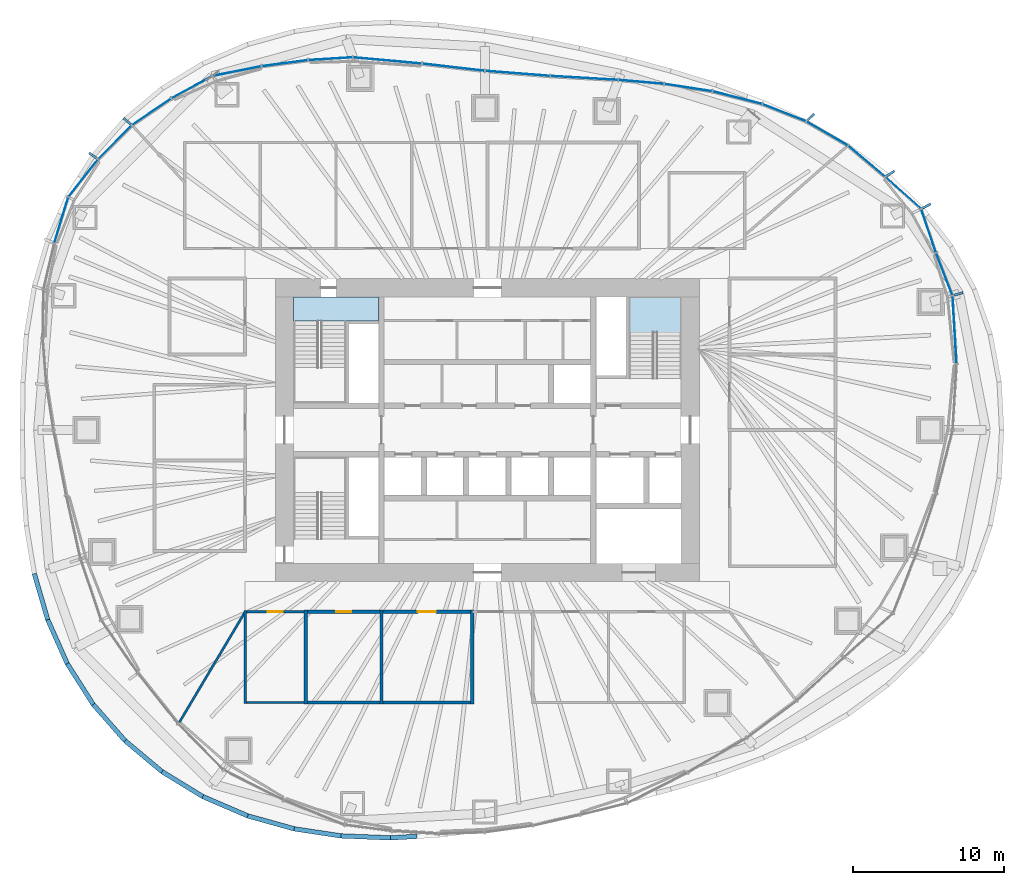
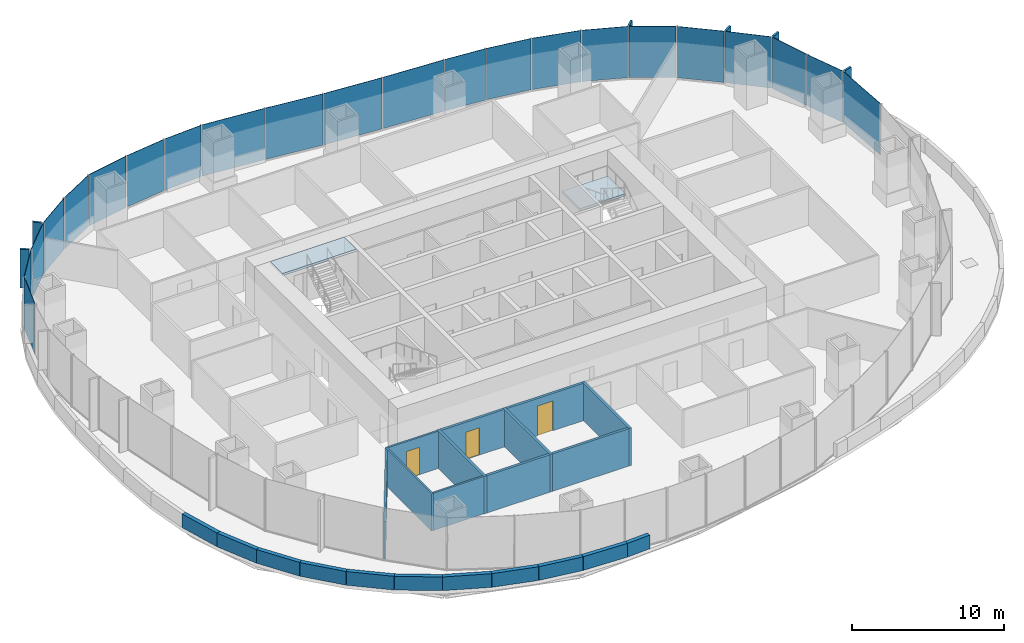
# One storey, part 8 of 20: 28 plates, 22 walls, 3 doors, 2 slabs, 3 openings, 11 elements without a shape of their own.
"""IFC4 building model written with IfcOpenShell, lengths in metres."""

from ifc_helpers import new_model, si_unit, direction, frame, frame_2d, origin, origin_2d, place, context, subcontext, project, spatial, polyline, rectangle, outline, extrude, material, layer, layer_set, type_object, element, fill, aggregate, save


model = new_model("IFC4")

# Units and contexts
model_context = context("Model", 3, precision=1e-05, world=origin(), true_north=direction((0.0, 1.0)))
body_context = subcontext(model_context, "Body", "Model", "MODEL_VIEW")
ifc_project = project(units=[si_unit("LENGTHUNIT", "METRE"), si_unit("AREAUNIT", "SQUARE_METRE"), si_unit("VOLUMEUNIT", "CUBIC_METRE"), si_unit("PLANEANGLEUNIT", "RADIAN"), si_unit("MASSUNIT", "GRAM", prefix="KILO")], contexts=[model_context])

# Site, building, storey
site_placement = place(None, origin())
site = spatial("IfcSite", under=ifc_project, at=site_placement, CompositionType="ELEMENT")
building_placement = place(site_placement, origin())
building = spatial("IfcBuilding", under=site, at=building_placement, Name="Ghaith Harvest Tower", CompositionType="ELEMENT")
storey_placement = place(building_placement, frame((0.0, 0.0, 105.0)))
storey = spatial("IfcBuildingStorey", under=building, at=storey_placement, Name="L21", CompositionType="ELEMENT", Elevation=105.0)

# Curtain wall, plate
ifc_material_1 = material(Name="Black anodised aluminium and fritted glass", Category="aluminium")
curtain_wall_type = type_object("IfcCurtainWallType", Name="CW-L CURTAIN WALL", PredefinedType="NOTDEFINED", material=ifc_material_1)
curtain_wall_1_placement = place(storey_placement, origin())
curtain_wall_1 = element("IfcCurtainWall", 1, at=curtain_wall_1_placement, inside=storey, type_object=curtain_wall_type, Name="Curtain wall CW-L bay 01 L21", PredefinedType="NOTDEFINED")
ifc_material_2 = material(Name="Glass, dark solar-control fritted double glazed unit", Category="glass")
ifc_layer_1 = layer(ifc_material_2, 0.031982421875)
ifc_layer_set_1 = layer_set([ifc_layer_1], Name="CW-L VISION PANEL")
plate_type_1 = type_object("IfcPlateType", Name="CW-L VISION PANEL", PredefinedType="CURTAIN_PANEL", material=ifc_layer_set_1)
plate_1_placement = place(storey_placement, frame((30.863037109375, 6.63525390625, 0.079833984375), z_axis=(0.0, 0.0, 1.0), x_axis=(-0.060320650032, 0.998179051663, 0.0)))
plate_1 = element("IfcPlate", 2, at=plate_1_placement, type_object=plate_type_1, Name="CW-L glass unit 2 bay 01 L21", PredefinedType="CURTAIN_PANEL", context=body_context, shape_type="SweptSolid", body=[
    extrude(rectangle(XDim=4.419189453125, YDim=0.031982421875, at=origin_2d()), origin(), (0.0, 0.0, 1.0), 4.1201171875),
])
aggregate(curtain_wall_1, [plate_1])

# Curtain wall, plates
curtain_wall_2_placement = place(storey_placement, origin())
curtain_wall_2 = element("IfcCurtainWall", 3, at=curtain_wall_2_placement, inside=storey, type_object=curtain_wall_type, Name="Curtain wall CW-L bay 02 L21", PredefinedType="NOTDEFINED")
plate_2_placement = place(storey_placement, frame((30.180908203125, 10.29833984375, 0.079833984375), z_axis=(0.0, 0.0, 1.0), x_axis=(-0.359676824997, 0.933076943001, 0.0)))
plate_2 = element("IfcPlate", 4, at=plate_2_placement, type_object=plate_type_1, Name="CW-L glass unit 1 bay 02 L21", PredefinedType="CURTAIN_PANEL", context=body_context, shape_type="SweptSolid", body=[
    extrude(rectangle(XDim=2.95849609375, YDim=0.031982421875, at=origin_2d()), origin(), (0.0, 0.0, 1.0), 4.1201171875),
])
plate_3_placement = place(storey_placement, frame((29.142333984375, 13.163818359375, 0.079833984375), z_axis=(0.0, 0.0, 1.0), x_axis=(-0.321853304376, 0.946789549194, 0.0)))
plate_3 = element("IfcPlate", 5, at=plate_3_placement, type_object=plate_type_1, Name="CW-L glass unit 2 bay 02 L21", PredefinedType="CURTAIN_PANEL", context=body_context, shape_type="SweptSolid", body=[
    extrude(rectangle(XDim=2.978759765625, YDim=0.031982421875, at=origin_2d()), origin(), (0.0, 0.0, 1.0), 4.1201171875),
])
plate_4_placement = place(storey_placement, frame((27.46533203125, 15.668701171875, 0.079833984375), z_axis=(0.0, 0.0, 1.0), x_axis=(-0.746250544556, 0.665665174656, 0.0)))
plate_4 = element("IfcPlate", 6, at=plate_4_placement, type_object=plate_type_1, Name="CW-L glass unit 3 bay 02 L21", PredefinedType="CURTAIN_PANEL", context=body_context, shape_type="SweptSolid", body=[
    extrude(rectangle(XDim=3.094970703125, YDim=0.031982421875, at=origin_2d()), origin(), (0.0, 0.0, 1.0), 4.1201171875),
])
aggregate(curtain_wall_2, [plate_2, plate_3, plate_4])

curtain_wall_3_placement = place(storey_placement, origin())
curtain_wall_3 = element("IfcCurtainWall", 7, at=curtain_wall_3_placement, inside=storey, type_object=curtain_wall_type, Name="Curtain wall CW-L bay 03 L21", PredefinedType="NOTDEFINED")
plate_5_placement = place(storey_placement, frame((25.05126953125, 17.7587890625, 0.079833984375), z_axis=(0.0, 0.0, 1.0), x_axis=(-0.765473064857, 0.643467937801, 0.0)))
plate_5 = element("IfcPlate", 8, at=plate_5_placement, type_object=plate_type_1, Name="CW-L glass unit 1 bay 03 L21", PredefinedType="CURTAIN_PANEL", context=body_context, shape_type="SweptSolid", body=[
    extrude(rectangle(XDim=3.13232421875, YDim=0.031982421875, at=origin_2d()), origin(), (0.0, 0.0, 1.0), 4.1201171875),
])
plate_6_placement = place(storey_placement, frame((22.444091796875, 19.590576171875, 0.079833984375), z_axis=(0.0, 0.0, 1.0), x_axis=(-0.865232087993, 0.501371552751, 0.0)))
plate_6 = element("IfcPlate", 9, at=plate_6_placement, type_object=plate_type_1, Name="CW-L glass unit 2 bay 03 L21", PredefinedType="CURTAIN_PANEL", context=body_context, shape_type="SweptSolid", body=[
    extrude(rectangle(XDim=3.10498046875, YDim=0.031982421875, at=origin_2d()), origin(), (0.0, 0.0, 1.0), 4.1201171875),
])
plate_7_placement = place(storey_placement, frame((19.6142578125, 20.963623046875, 0.079833984375), z_axis=(0.0, 0.0, 1.0), x_axis=(-0.929876534019, 0.367871759558, 0.0)))
plate_7 = element("IfcPlate", 10, at=plate_7_placement, type_object=plate_type_1, Name="CW-L glass unit 3 bay 03 L21", PredefinedType="CURTAIN_PANEL", context=body_context, shape_type="SweptSolid", body=[
    extrude(rectangle(XDim=3.042724609375, YDim=0.031982421875, at=origin_2d()), origin(), (0.0, 0.0, 1.0), 4.1201171875),
])
aggregate(curtain_wall_3, [plate_5, plate_6, plate_7])

curtain_wall_4_placement = place(storey_placement, origin())
curtain_wall_4 = element("IfcCurtainWall", 11, at=curtain_wall_4_placement, inside=storey, type_object=curtain_wall_type, Name="Curtain wall CW-L bay 04 L21", PredefinedType="NOTDEFINED")
plate_8_placement = place(storey_placement, frame((16.513427734375, 21.958740234375, 0.079833984375), z_axis=(0.0, 0.0, 1.0), x_axis=(-0.96893110987, 0.247330758955, 0.0)))
plate_8 = element("IfcPlate", 12, at=plate_8_placement, type_object=plate_type_1, Name="CW-L glass unit 1 bay 04 L21", PredefinedType="CURTAIN_PANEL", context=body_context, shape_type="SweptSolid", body=[
    extrude(rectangle(XDim=3.3232421875, YDim=0.031982421875, at=origin_2d()), origin(), (0.0, 0.0, 1.0), 4.1201171875),
])
plate_9_placement = place(storey_placement, frame((13.2685546875, 22.621826171875, 0.079833984375), z_axis=(0.0, 0.0, 1.0), x_axis=(-0.988678736369, 0.150047846542, 0.0)))
plate_9 = element("IfcPlate", 13, at=plate_9_placement, type_object=plate_type_1, Name="CW-L glass unit 2 bay 04 L21", PredefinedType="CURTAIN_PANEL", context=body_context, shape_type="SweptSolid", body=[
    extrude(rectangle(XDim=3.14892578125, YDim=0.031982421875, at=origin_2d()), origin(), (0.0, 0.0, 1.0), 4.1201171875),
])
plate_10_placement = place(storey_placement, frame((10.15966796875, 22.9970703125, 0.079833984375), z_axis=(0.0, 0.0, 1.0), x_axis=(-0.996166190972, 0.087480969151, 0.0)))
plate_10 = element("IfcPlate", 14, at=plate_10_placement, type_object=plate_type_1, Name="CW-L glass unit 3 bay 04 L21", PredefinedType="CURTAIN_PANEL", context=body_context, shape_type="SweptSolid", body=[
    extrude(rectangle(XDim=2.957275390625, YDim=0.031982421875, at=origin_2d()), origin(), (0.0, 0.0, 1.0), 4.1201171875),
])
aggregate(curtain_wall_4, [plate_8, plate_9, plate_10])

curtain_wall_5_placement = place(storey_placement, origin())
curtain_wall_5 = element("IfcCurtainWall", 15, at=curtain_wall_5_placement, inside=storey, type_object=curtain_wall_type, Name="Curtain wall CW-L bay 05 L21", PredefinedType="NOTDEFINED")
plate_11_placement = place(storey_placement, frame((6.396728515625, 23.260498046875, 0.079833984375), z_axis=(0.0, 0.0, 1.0), x_axis=(-0.998320798751, 0.05792739233, 0.0)))
plate_11 = element("IfcPlate", 16, at=plate_11_placement, type_object=plate_type_1, Name="CW-L glass unit 1 bay 05 L21", PredefinedType="CURTAIN_PANEL", context=body_context, shape_type="SweptSolid", body=[
    extrude(rectangle(XDim=4.427734375, YDim=0.031982421875, at=origin_2d()), origin(), (0.0, 0.0, 1.0), 4.1201171875),
])
plate_12_placement = place(storey_placement, frame((1.9921875, 23.560302734375, 0.079833984375), z_axis=(0.0, 0.0, 1.0), x_axis=(-0.996925121312, 0.078360082291, 0.0)))
plate_12 = element("IfcPlate", 17, at=plate_12_placement, type_object=plate_type_1, Name="CW-L glass unit 2 bay 05 L21", PredefinedType="CURTAIN_PANEL", context=body_context, shape_type="SweptSolid", body=[
    extrude(rectangle(XDim=4.242431640625, YDim=0.031982421875, at=origin_2d()), origin(), (0.0, 0.0, 1.0), 4.1201171875),
])
aggregate(curtain_wall_5, [plate_11, plate_12])

curtain_wall_6_placement = place(storey_placement, origin())
curtain_wall_6 = element("IfcCurtainWall", 18, at=curtain_wall_6_placement, inside=storey, type_object=curtain_wall_type, Name="Curtain wall CW-L bay 06 L21", PredefinedType="NOTDEFINED")
plate_13_placement = place(storey_placement, frame((-2.24267578125, 23.968505859375, 0.079833984375), z_axis=(0.0, 0.0, 1.0), x_axis=(-0.993477024646, 0.114032458099, 0.0)))
plate_13 = element("IfcPlate", 19, at=plate_13_placement, type_object=plate_type_1, Name="CW-L glass unit 1 bay 06 L21", PredefinedType="CURTAIN_PANEL", context=body_context, shape_type="SweptSolid", body=[
    extrude(rectangle(XDim=4.10791015625, YDim=0.031982421875, at=origin_2d()), origin(), (0.0, 0.0, 1.0), 4.1201171875),
])
plate_14_placement = place(storey_placement, frame((-6.607666015625, 24.4140625, 0.079833984375), z_axis=(0.0, 0.0, 1.0), x_axis=(-0.995928776302, 0.090143621701, 0.0)))
plate_14 = element("IfcPlate", 20, at=plate_14_placement, type_object=plate_type_1, Name="CW-L glass unit 2 bay 06 L21", PredefinedType="CURTAIN_PANEL", context=body_context, shape_type="SweptSolid", body=[
    extrude(rectangle(XDim=4.508056640625, YDim=0.031982421875, at=origin_2d()), origin(), (0.0, 0.0, 1.0), 4.1201171875),
])
aggregate(curtain_wall_6, [plate_13, plate_14])

curtain_wall_7_placement = place(storey_placement, origin())
curtain_wall_7 = element("IfcCurtainWall", 21, at=curtain_wall_7_placement, inside=storey, type_object=curtain_wall_type, Name="Curtain wall CW-L bay 07 L21", PredefinedType="NOTDEFINED")
plate_15_placement = place(storey_placement, frame((-10.36669921875, 24.5302734375, 0.079833984375), z_axis=(0.0, 0.0, 1.0), x_axis=(-0.998119199641, -0.061303044853, 0.0)))
plate_15 = element("IfcPlate", 22, at=plate_15_placement, type_object=plate_type_1, Name="CW-L glass unit 1 bay 07 L21", PredefinedType="CURTAIN_PANEL", context=body_context, shape_type="SweptSolid", body=[
    extrude(rectangle(XDim=2.874267578125, YDim=0.031982421875, at=origin_2d()), origin(), (0.0, 0.0, 1.0), 4.1201171875),
])
plate_16_placement = place(storey_placement, frame((-13.382568359375, 24.23486328125, 0.079833984375), z_axis=(0.0, 0.0, 1.0), x_axis=(-0.991285895369, -0.131728029071, 0.0)))
plate_16 = element("IfcPlate", 23, at=plate_16_placement, type_object=plate_type_1, Name="CW-L glass unit 2 bay 07 L21", PredefinedType="CURTAIN_PANEL", context=body_context, shape_type="SweptSolid", body=[
    extrude(rectangle(XDim=3.02978515625, YDim=0.031982421875, at=origin_2d()), origin(), (0.0, 0.0, 1.0), 4.1201171875),
])
plate_17_placement = place(storey_placement, frame((-16.54443359375, 23.7099609375, 0.079833984375), z_axis=(0.0, 0.0, 1.0), x_axis=(-0.981037550101, -0.193817763096, 0.0)))
plate_17 = element("IfcPlate", 24, at=plate_17_placement, type_object=plate_type_1, Name="CW-L glass unit 3 bay 07 L21", PredefinedType="CURTAIN_PANEL", context=body_context, shape_type="SweptSolid", body=[
    extrude(rectangle(XDim=3.22412109375, YDim=0.031982421875, at=origin_2d()), origin(), (0.0, 0.0, 1.0), 4.1201171875),
])
aggregate(curtain_wall_7, [plate_15, plate_16, plate_17])

curtain_wall_8_placement = place(storey_placement, origin())
curtain_wall_8 = element("IfcCurtainWall", 25, at=curtain_wall_8_placement, inside=storey, type_object=curtain_wall_type, Name="Curtain wall CW-L bay 08 L21", PredefinedType="NOTDEFINED")
plate_18_placement = place(storey_placement, frame((-19.520263671875, 22.650634765625, 0.079833984375), z_axis=(0.0, 0.0, 1.0), x_axis=(-0.877940384665, -0.478769966659, 0.0)))
plate_18 = element("IfcPlate", 26, at=plate_18_placement, type_object=plate_type_1, Name="CW-L glass unit 1 bay 08 L21", PredefinedType="CURTAIN_PANEL", context=body_context, shape_type="SweptSolid", body=[
    extrude(rectangle(XDim=3.007080078125, YDim=0.031982421875, at=origin_2d()), origin(), (0.0, 0.0, 1.0), 4.1201171875),
])
plate_19_placement = place(storey_placement, frame((-22.182373046875, 21.025390625, 0.079833984375), z_axis=(0.0, 0.0, 1.0), x_axis=(-0.827674847773, -0.561207935051, 0.0)))
plate_19 = element("IfcPlate", 27, at=plate_19_placement, type_object=plate_type_1, Name="CW-L glass unit 2 bay 08 L21", PredefinedType="CURTAIN_PANEL", context=body_context, shape_type="SweptSolid", body=[
    extrude(rectangle(XDim=3.078369140625, YDim=0.031982421875, at=origin_2d()), origin(), (0.0, 0.0, 1.0), 4.1201171875),
])
plate_20_placement = place(storey_placement, frame((-24.603759765625, 19.01708984375, 0.079833984375), z_axis=(0.0, 0.0, 1.0), x_axis=(-0.704613943896, -0.709590861037, 0.0)))
plate_20 = element("IfcPlate", 28, at=plate_20_placement, type_object=plate_type_1, Name="CW-L glass unit 3 bay 08 L21", PredefinedType="CURTAIN_PANEL", context=body_context, shape_type="SweptSolid", body=[
    extrude(rectangle(XDim=3.0830078125, YDim=0.031982421875, at=origin_2d()), origin(), (0.0, 0.0, 1.0), 4.1201171875),
])
aggregate(curtain_wall_8, [plate_18, plate_19, plate_20])

curtain_wall_9_placement = place(storey_placement, origin())
curtain_wall_9 = element("IfcCurtainWall", 29, at=curtain_wall_9_placement, inside=storey, type_object=curtain_wall_type, Name="Curtain wall CW-L bay 09 L21", PredefinedType="NOTDEFINED")
plate_21_placement = place(storey_placement, frame((-26.69873046875, 16.644775390625, 0.079833984375), z_axis=(0.0, 0.0, 1.0), x_axis=(-0.617140806324, -0.786852734106, 0.0)))
plate_21 = element("IfcPlate", 30, at=plate_21_placement, type_object=plate_type_1, Name="CW-L glass unit 1 bay 09 L21", PredefinedType="CURTAIN_PANEL", context=body_context, shape_type="SweptSolid", body=[
    extrude(rectangle(XDim=3.09765625, YDim=0.031982421875, at=origin_2d()), origin(), (0.0, 0.0, 1.0), 4.1201171875),
])
plate_22_placement = place(storey_placement, frame((-28.14794921875, 13.869140625, 0.079833984375), z_axis=(0.0, 0.0, 1.0), x_axis=(-0.293802674087, -0.955866093498, 0.0)))
plate_22 = element("IfcPlate", 31, at=plate_22_placement, type_object=plate_type_1, Name="CW-L glass unit 2 bay 09 L21", PredefinedType="CURTAIN_PANEL", context=body_context, shape_type="SweptSolid", body=[
    extrude(rectangle(XDim=3.111328125, YDim=0.031982421875, at=origin_2d()), origin(), (0.0, 0.0, 1.0), 4.1201171875),
])
aggregate(curtain_wall_9, [plate_21, plate_22])

# Stair, slab
ifc_material_3 = material(Name="Concrete C40/50, precast", Category="concrete")
stair_type = type_object("IfcStairType", Name="CORE STAIR 24R", PredefinedType="HALF_TURN_STAIR", material=ifc_material_3)
stair_1_placement = place(storey_placement, origin())
stair_1 = element("IfcStair", 32, at=stair_1_placement, inside=storey, type_object=stair_type, Name="Stair ST1 L21", PredefinedType="HALF_TURN_STAIR")
ifc_material_4 = material(Name="Concrete C40/50, precast", Category="concrete")
ifc_layer_2 = layer(ifc_material_4, 0.179931640625)
ifc_layer_set_2 = layer_set([ifc_layer_2], Name="STAIR LANDING 180")
slab_type = type_object("IfcSlabType", Name="STAIR LANDING 180", PredefinedType="LANDING", material=ifc_layer_set_2)
slab_1_placement = place(storey_placement, frame((0.0, 0.0, 4.02001953125)))
slab_1 = element("IfcSlab", 33, at=slab_1_placement, type_object=slab_type, Name="ST1 landing 2", PredefinedType="LANDING", context=body_context, shape_type="SweptSolid", body=[
    extrude(outline(polyline([(-12.800048828125, 8.800048828125), (-12.800048828125, 7.199951171875), (-7.199951171875, 7.199951171875), (-7.199951171875, 8.800048828125), (-12.800048828125, 8.800048828125)])), origin(), (0.0, 0.0, 1.0), 0.179931640625),
])
aggregate(stair_1, [slab_1])

stair_2_placement = place(storey_placement, origin())
stair_2 = element("IfcStair", 34, at=stair_2_placement, inside=storey, type_object=stair_type, Name="Stair ST2 L21", PredefinedType="HALF_TURN_STAIR")
slab_2_placement = place(storey_placement, frame((0.0, 0.0, 1.919921875)))
slab_2 = element("IfcSlab", 35, at=slab_2_placement, type_object=slab_type, Name="ST2 landing 1", PredefinedType="LANDING", context=body_context, shape_type="SweptSolid", body=[
    extrude(outline(polyline([(12.800048828125, 6.4599609375), (12.800048828125, 8.800048828125), (9.35009765625, 8.800048828125), (9.35009765625, 6.4599609375), (12.800048828125, 6.4599609375)])), origin(), (0.0, 0.0, 1.0), 0.18017578125),
])
aggregate(stair_2, [slab_2])

# Plates
ifc_material_5 = material(Name="Glassfibre-reinforced concrete", Category="concrete")
ifc_layer_3 = layer(ifc_material_5, 0.14990234375)
ifc_layer_set_3 = layer_set([ifc_layer_3], Name="SUN-BREAKER FIN 600x150")
plate_type_2 = type_object("IfcPlateType", Name="SUN-BREAKER FIN 600x150", PredefinedType="USERDEFINED", material=ifc_layer_set_3)
for number, where, z_axis, x_axis, name in (
    (36, (31.130859375, 8.99755859375, 0.0), (0.0, 0.0, 1.0), (0.960680349985, 0.277656739792, 0.0), "Sun-breaker fin CW-L 1 bay 02 L21"),
    (37, (29.024169921875, 14.802734375, 0.0), (0.0, 0.0, 1.0), (0.890830752257, 0.454335306611, 0.0), "Sun-breaker fin CW-L 3 bay 02 L21"),
):
    element("IfcPlate", number, at=place(storey_placement, frame(where, z_axis=z_axis, x_axis=x_axis)), inside=storey, type_object=plate_type_2, Name=name, ObjectType="SUN-BREAKER FIN", PredefinedType="USERDEFINED", context=body_context, shape_type="SweptSolid", body=[
        extrude(rectangle(XDim=0.60009765625, YDim=0.14990234375, at=origin_2d()), origin(), (0.0, 0.0, 1.0), 4.199951171875),
    ])
plate_23_placement = place(storey_placement, frame((26.635009765625, 16.95068359375, 1.099853515625), z_axis=(0.0, 0.0, 1.0), x_axis=(0.843643971464, 0.536903016766, 0.0)))
element("IfcPlate", 38, at=plate_23_placement, inside=storey, type_object=plate_type_2, Name="Sun-breaker fin CW-L 1 bay 03 L21", ObjectType="SUN-BREAKER FIN", PredefinedType="USERDEFINED", context=body_context, shape_type="SweptSolid", body=[
    extrude(rectangle(XDim=0.60009765625, YDim=0.14990234375, at=origin_2d()), origin(), (0.0, 0.0, 1.0), 3.10009765625),
])
plate_24_placement = place(storey_placement, frame((21.367919921875, 20.68115234375, 0.0), z_axis=(0.0, 0.0, 1.0), x_axis=(0.7185589652, 0.69546604053, 0.0)))
element("IfcPlate", 39, at=plate_24_placement, inside=storey, type_object=plate_type_2, Name="Sun-breaker fin CW-L 3 bay 03 L21", ObjectType="SUN-BREAKER FIN", PredefinedType="USERDEFINED", context=body_context, shape_type="SweptSolid", body=[
    extrude(rectangle(XDim=0.60009765625, YDim=0.14990234375, at=origin_2d()), origin(), (0.0, 0.0, 1.0), 4.199951171875),
])
for number, where, z_axis, x_axis, name in (
    (40, (-23.808349609375, 20.41259765625, 1.099853515625), (0.0, 0.0, 1.0), (-0.759169742643, 0.650892696115, 0.0), "Sun-breaker fin CW-L 3 bay 08 L21"),
    (41, (-26.06298828125, 18.134765625, 1.099853515625), (0.0, 0.0, 1.0), (-0.820845486523, 0.571150319316, 0.0), "Sun-breaker fin CW-L 1 bay 09 L21"),
):
    element("IfcPlate", number, at=place(storey_placement, frame(where, z_axis=z_axis, x_axis=x_axis)), inside=storey, type_object=plate_type_2, Name=name, ObjectType="SUN-BREAKER FIN", PredefinedType="USERDEFINED", context=body_context, shape_type="SweptSolid", body=[
        extrude(rectangle(XDim=0.60009765625, YDim=0.14990234375, at=origin_2d()), origin(), (0.0, 0.0, 1.0), 3.10009765625),
    ])

# Walls
ifc_material_6 = material(Name="Twin-stud gypsum board, acoustic", Category="gypsum")
ifc_layer_4 = layer(ifc_material_6, 0.199951171875)
ifc_layer_set_4 = layer_set([ifc_layer_4], Name="ACOUSTIC PARTITION 200")
wall_type_1 = type_object("IfcWallType", Name="ACOUSTIC PARTITION 200", PredefinedType="PARTITIONING", material=ifc_layer_set_4)
for number, where, z_axis, x_axis, name in (
    (42, (-12.0, -11.89990234375, 0.0), (0.0, 0.0, 1.0), (0.0, -1.0, 0.0), "Partition L21 row S4 cross wall 2"),
    (43, (-7.0, -11.89990234375, 0.0), (0.0, 0.0, 1.0), (0.0, -1.0, 0.0), "Partition L21 row S4 cross wall 3"),
    (44, (-1.0, -11.89990234375, 0.0), (0.0, 0.0, 1.0), (0.0, -1.0, 0.0), "Partition L21 row S4 cross wall 4"),
):
    element("IfcWall", number, at=place(storey_placement, frame(where, z_axis=z_axis, x_axis=x_axis)), inside=storey, type_object=wall_type_1, Name=name, PredefinedType="PARTITIONING", context=body_context, shape_type="SweptSolid", body=[
        extrude(rectangle(XDim=6.2001953125, YDim=0.199951171875, at=frame_2d((3.10009765625, 0.0))), origin(), (0.0, 0.0, 1.0), 3.0),
    ])

# Wall, opening, door
wall_1_placement = place(storey_placement, frame((-11.89990234375, -12.0, 0.0), z_axis=(0.0, 0.0, 1.0), x_axis=(1.0, 0.0, 0.0)))
wall_1 = element("IfcWall", 45, at=wall_1_placement, inside=storey, type_object=wall_type_1, Name="Partition L21-11", PredefinedType="PARTITIONING", context=body_context, shape_type="SweptSolid", body=[
    extrude(rectangle(XDim=4.7998046875, YDim=0.199951171875, at=frame_2d((2.39990234375, 0.0))), origin(), (0.0, 0.0, 1.0), 3.0),
])
opening_1_placement = place(wall_1_placement, frame((1.89990234375, 0.0, 0.0)))
opening_1 = element("IfcOpeningElement", 46, at=opening_1_placement, cuts=wall_1, Name="Opening 21-037", PredefinedType="OPENING", context=body_context, shape_type="SweptSolid", body=[
    extrude(rectangle(XDim=1.0, YDim=2.199951171875, at=frame_2d((0.5, 1.10009765625))), frame((0.0, 0.10986328125, 0.0), z_axis=(0.0, -1.0, 0.0), x_axis=(1.0, 0.0, 0.0)), (0.0, 0.0, 1.0), 0.219970703125),
])
ifc_material_7 = material(Name="Timber door", Category="wood")
door_type_1 = type_object("IfcDoorType", Name="D1 SINGLE 1000x2200", OperationType="SINGLE_SWING_LEFT", PredefinedType="DOOR", material=ifc_material_7)
door_1_placement = place(opening_1_placement, origin())
door_1 = element("IfcDoor", 47, at=door_1_placement, inside=storey, type_object=door_type_1, Name="Prayer room door", OperationType="SINGLE_SWING_LEFT", OverallHeight=2.199951171875, OverallWidth=1.0, PredefinedType="DOOR", context=body_context, shape_type="SweptSolid", body=[
    extrude(rectangle(XDim=1.0, YDim=2.199951171875, at=frame_2d((0.5, 1.10009765625))), frame((0.0, 0.02490234375, 0.0), z_axis=(0.0, -1.0, 0.0), x_axis=(1.0, 0.0, 0.0)), (0.0, 0.0, 1.0), 0.050048828125),
])
fill(opening_1, door_1)

# Wall
wall_2_placement = place(storey_placement, frame((-11.89990234375, -18.0, 0.0), z_axis=(0.0, 0.0, 1.0), x_axis=(1.0, 0.0, 0.0)))
element("IfcWall", 48, at=wall_2_placement, inside=storey, type_object=wall_type_1, Name="Partition L21-11", PredefinedType="PARTITIONING", context=body_context, shape_type="SweptSolid", body=[
    extrude(rectangle(XDim=4.7998046875, YDim=0.199951171875, at=frame_2d((2.39990234375, 0.0))), origin(), (0.0, 0.0, 1.0), 3.0),
])

# Wall, opening, door
wall_3_placement = place(storey_placement, frame((-6.89990234375, -12.0, 0.0), z_axis=(0.0, 0.0, 1.0), x_axis=(1.0, 0.0, 0.0)))
wall_3 = element("IfcWall", 49, at=wall_3_placement, inside=storey, type_object=wall_type_1, Name="Partition L21-12", PredefinedType="PARTITIONING", context=body_context, shape_type="SweptSolid", body=[
    extrude(rectangle(XDim=5.7998046875, YDim=0.199951171875, at=frame_2d((2.89990234375, 0.0))), origin(), (0.0, 0.0, 1.0), 3.0),
])
opening_2_placement = place(wall_3_placement, frame((2.300048828125, 0.0, 0.0)))
opening_2 = element("IfcOpeningElement", 50, at=opening_2_placement, cuts=wall_3, Name="Opening 21-038", PredefinedType="OPENING", context=body_context, shape_type="SweptSolid", body=[
    extrude(rectangle(XDim=1.199951171875, YDim=2.39990234375, at=frame_2d((0.60009765625, 1.199951171875))), frame((0.0, 0.10986328125, 0.0), z_axis=(0.0, -1.0, 0.0), x_axis=(1.0, 0.0, 0.0)), (0.0, 0.0, 1.0), 0.219970703125),
])
ifc_material_8 = material(Name="Timber door", Category="wood")
door_type_2 = type_object("IfcDoorType", Name="D11 GLAZED 1200x2400", OperationType="SINGLE_SWING_LEFT", PredefinedType="DOOR", material=ifc_material_8)
door_2_placement = place(opening_2_placement, origin())
door_2 = element("IfcDoor", 51, at=door_2_placement, inside=storey, type_object=door_type_2, Name="Meeting room door", OperationType="SINGLE_SWING_LEFT", OverallHeight=2.39990234375, OverallWidth=1.199951171875, PredefinedType="DOOR", context=body_context, shape_type="SweptSolid", body=[
    extrude(rectangle(XDim=1.199951171875, YDim=2.39990234375, at=frame_2d((0.60009765625, 1.199951171875))), frame((0.0, 0.02490234375, 0.0), z_axis=(0.0, -1.0, 0.0), x_axis=(1.0, 0.0, 0.0)), (0.0, 0.0, 1.0), 0.050048828125),
])
fill(opening_2, door_2)

# Walls
wall_4_placement = place(storey_placement, frame((-6.89990234375, -18.0, 0.0), z_axis=(0.0, 0.0, 1.0), x_axis=(1.0, 0.0, 0.0)))
element("IfcWall", 52, at=wall_4_placement, inside=storey, type_object=wall_type_1, Name="Partition L21-12", PredefinedType="PARTITIONING", context=body_context, shape_type="SweptSolid", body=[
    extrude(rectangle(XDim=5.7998046875, YDim=0.199951171875, at=frame_2d((2.89990234375, 0.0))), origin(), (0.0, 0.0, 1.0), 3.0),
])
ifc_material_9 = material(Name="Concrete C40/50", Category="concrete")
ifc_layer_5 = layer(ifc_material_9, 0.300048828125)
ifc_layer_set_5 = layer_set([ifc_layer_5], Name="PARAPET 300")
wall_type_2 = type_object("IfcWallType", Name="PARAPET 300", PredefinedType="PARAPET", material=ifc_layer_set_5)
wall_5_placement = place(storey_placement, frame((-29.930908203125, -9.485595703125, 0.0), z_axis=(0.0, 0.0, 1.0), x_axis=(0.279713048588, -0.960083647632, 0.0)))
element("IfcWall", 53, at=wall_5_placement, inside=storey, type_object=wall_type_2, Name="Parapet 12.1 L21", PredefinedType="PARAPET", context=body_context, shape_type="SweptSolid", body=[
    extrude(rectangle(XDim=3.169189453125, YDim=0.300048828125, at=frame_2d((1.58447265625, 0.0))), origin(), (0.0, 0.0, 1.0), 1.10009765625),
])
wall_6_placement = place(storey_placement, frame((-29.04443359375, -12.5283203125, 0.0), z_axis=(0.0, 0.0, 1.0), x_axis=(0.40679353585, -0.913520125225, 0.0)))
element("IfcWall", 54, at=wall_6_placement, inside=storey, type_object=wall_type_2, Name="Parapet 12.2 L21", PredefinedType="PARAPET", context=body_context, shape_type="SweptSolid", body=[
    extrude(rectangle(XDim=3.180908203125, YDim=0.300048828125, at=frame_2d((1.59033203125, 0.0))), origin(), (0.0, 0.0, 1.0), 1.10009765625),
])
wall_7_placement = place(storey_placement, frame((-27.75048828125, -15.43408203125, 0.0), z_axis=(0.0, 0.0, 1.0), x_axis=(0.536840754983, -0.843683592225, 0.0)))
element("IfcWall", 55, at=wall_7_placement, inside=storey, type_object=wall_type_2, Name="Parapet 12.3 L21", PredefinedType="PARAPET", context=body_context, shape_type="SweptSolid", body=[
    extrude(rectangle(XDim=3.183349609375, YDim=0.300048828125, at=frame_2d((1.591796875, 0.0))), origin(), (0.0, 0.0, 1.0), 1.10009765625),
])
wall_8_placement = place(storey_placement, frame((-26.04150390625, -18.119873046875, 0.0), z_axis=(0.0, 0.0, 1.0), x_axis=(0.659596939988, -0.751619502647, 0.0)))
element("IfcWall", 56, at=wall_8_placement, inside=storey, type_object=wall_type_2, Name="Parapet 13.1 L21", PredefinedType="PARAPET", context=body_context, shape_type="SweptSolid", body=[
    extrude(rectangle(XDim=3.1943359375, YDim=0.300048828125, at=frame_2d((1.59716796875, 0.0))), origin(), (0.0, 0.0, 1.0), 1.10009765625),
])
wall_9_placement = place(storey_placement, frame((-23.9345703125, -20.520751953125, 0.0), z_axis=(0.0, 0.0, 1.0), x_axis=(0.766784908823, -0.641904123372, 0.0)))
element("IfcWall", 57, at=wall_9_placement, inside=storey, type_object=wall_type_2, Name="Parapet 13.2 L21", PredefinedType="PARAPET", context=body_context, shape_type="SweptSolid", body=[
    extrude(rectangle(XDim=3.1806640625, YDim=0.300048828125, at=frame_2d((1.59033203125, 0.0))), origin(), (0.0, 0.0, 1.0), 1.10009765625),
])
wall_10_placement = place(storey_placement, frame((-21.49560546875, -22.5625, 0.0), z_axis=(0.0, 0.0, 1.0), x_axis=(0.853268453742, -0.52147190322, 0.0)))
element("IfcWall", 58, at=wall_10_placement, inside=storey, type_object=wall_type_2, Name="Parapet 13.3 L21", PredefinedType="PARAPET", context=body_context, shape_type="SweptSolid", body=[
    extrude(rectangle(XDim=3.157470703125, YDim=0.300048828125, at=frame_2d((1.57861328125, 0.0))), origin(), (0.0, 0.0, 1.0), 1.10009765625),
])
wall_11_placement = place(storey_placement, frame((-18.801513671875, -24.208984375, 0.0), z_axis=(0.0, 0.0, 1.0), x_axis=(0.91866042568, -0.395048126549, 0.0)))
element("IfcWall", 59, at=wall_11_placement, inside=storey, type_object=wall_type_2, Name="Parapet 14.1 L21", PredefinedType="PARAPET", context=body_context, shape_type="SweptSolid", body=[
    extrude(rectangle(XDim=3.23583984375, YDim=0.300048828125, at=frame_2d((1.617919921875, 0.0))), origin(), (0.0, 0.0, 1.0), 1.10009765625),
])
wall_12_placement = place(storey_placement, frame((-15.828857421875, -25.4873046875, 0.0), z_axis=(0.0, 0.0, 1.0), x_axis=(0.963292299326, -0.26845473745, 0.0)))
element("IfcWall", 60, at=wall_12_placement, inside=storey, type_object=wall_type_2, Name="Parapet 14.2 L21", PredefinedType="PARAPET", context=body_context, shape_type="SweptSolid", body=[
    extrude(rectangle(XDim=3.18310546875, YDim=0.300048828125, at=frame_2d((1.591552734375, 0.0))), origin(), (0.0, 0.0, 1.0), 1.10009765625),
])
wall_13_placement = place(storey_placement, frame((-12.7626953125, -26.341796875, 0.0), z_axis=(0.0, 0.0, 1.0), x_axis=(0.988698262217, -0.1499191325, 0.0)))
element("IfcWall", 61, at=wall_13_placement, inside=storey, type_object=wall_type_2, Name="Parapet 14.3 L21", PredefinedType="PARAPET", context=body_context, shape_type="SweptSolid", body=[
    extrude(rectangle(XDim=3.115234375, YDim=0.300048828125, at=frame_2d((1.5576171875, 0.0))), origin(), (0.0, 0.0, 1.0), 1.10009765625),
])
wall_14_placement = place(storey_placement, frame((-9.6826171875, -26.808837890625, 0.0), z_axis=(0.0, 0.0, 1.0), x_axis=(0.999210908171, -0.039718522031, 0.0)))
element("IfcWall", 62, at=wall_14_placement, inside=storey, type_object=wall_type_2, Name="Parapet 15.1 L21", PredefinedType="PARAPET", context=body_context, shape_type="SweptSolid", body=[
    extrude(rectangle(XDim=3.282470703125, YDim=0.300048828125, at=frame_2d((1.64111328125, 0.0))), origin(), (0.0, 0.0, 1.0), 1.10009765625),
])
wall_15_placement = place(storey_placement, frame((-6.40283203125, -26.939208984375, 0.0), z_axis=(0.0, 0.0, 1.0), x_axis=(0.998438849292, 0.055855744778, 0.0)))
element("IfcWall", 63, at=wall_15_placement, inside=storey, type_object=wall_type_2, Name="Parapet 15.2 L21", PredefinedType="PARAPET", context=body_context, shape_type="SweptSolid", body=[
    extrude(rectangle(XDim=1.752685546875, YDim=0.300048828125, at=frame_2d((0.87646484375, 0.0))), origin(), (0.0, 0.0, 1.0), 1.10009765625),
])
ifc_material_10 = material(Name="Gypsum board on steel studs", Category="steel")
ifc_layer_6 = layer(ifc_material_10, 0.14990234375)
ifc_layer_set_6 = layer_set([ifc_layer_6], Name="PARTITION 150")
wall_type_3 = type_object("IfcWallType", Name="PARTITION 150", PredefinedType="PARTITIONING", material=ifc_layer_set_6)
wall_16_placement = place(storey_placement, frame((-16.0, -11.925048828125, 0.0), z_axis=(0.0, 0.0, 1.0), x_axis=(0.0, -1.0, 0.0)))
element("IfcWall", 64, at=wall_16_placement, inside=storey, type_object=wall_type_3, Name="Partition L21 row S4 cross wall 1", PredefinedType="PARTITIONING", context=body_context, shape_type="SweptSolid", body=[
    extrude(rectangle(XDim=6.14990234375, YDim=0.14990234375, at=frame_2d((3.074951171875, 0.0))), origin(), (0.0, 0.0, 1.0), 3.0),
])

# Wall, opening, door
wall_17_placement = place(storey_placement, frame((-15.925048828125, -12.0, 0.0), z_axis=(0.0, 0.0, 1.0), x_axis=(1.0, 0.0, 0.0)))
wall_17 = element("IfcWall", 65, at=wall_17_placement, inside=storey, type_object=wall_type_3, Name="Partition L21-10", PredefinedType="PARTITIONING", context=body_context, shape_type="SweptSolid", body=[
    extrude(rectangle(XDim=3.824951171875, YDim=0.14990234375, at=frame_2d((1.91259765625, 0.0))), origin(), (0.0, 0.0, 1.0), 3.0),
])
opening_3_placement = place(wall_17_placement, frame((1.41259765625, 0.0, 0.0)))
opening_3 = element("IfcOpeningElement", 66, at=opening_3_placement, cuts=wall_17, Name="Opening 21-036", PredefinedType="OPENING", context=body_context, shape_type="SweptSolid", body=[
    extrude(rectangle(XDim=1.0, YDim=2.199951171875, at=frame_2d((0.5, 1.10009765625))), frame((0.0, 0.0849609375, 0.0), z_axis=(0.0, -1.0, 0.0), x_axis=(1.0, 0.0, 0.0)), (0.0, 0.0, 1.0), 0.169921875),
])
door_3_placement = place(opening_3_placement, origin())
door_3 = element("IfcDoor", 67, at=door_3_placement, inside=storey, type_object=door_type_1, Name="Store door", OperationType="SINGLE_SWING_LEFT", OverallHeight=2.199951171875, OverallWidth=1.0, PredefinedType="DOOR", context=body_context, shape_type="SweptSolid", body=[
    extrude(rectangle(XDim=1.0, YDim=2.199951171875, at=frame_2d((0.5, 1.10009765625))), frame((0.0, 0.02490234375, 0.0), z_axis=(0.0, -1.0, 0.0), x_axis=(1.0, 0.0, 0.0)), (0.0, 0.0, 1.0), 0.050048828125),
])
fill(opening_3, door_3)

# Walls
wall_18_placement = place(storey_placement, frame((-15.925048828125, -18.0, 0.0), z_axis=(0.0, 0.0, 1.0), x_axis=(1.0, 0.0, 0.0)))
element("IfcWall", 68, at=wall_18_placement, inside=storey, type_object=wall_type_3, Name="Partition L21-10", PredefinedType="PARTITIONING", context=body_context, shape_type="SweptSolid", body=[
    extrude(rectangle(XDim=3.824951171875, YDim=0.14990234375, at=frame_2d((1.91259765625, 0.0))), origin(), (0.0, 0.0, 1.0), 3.0),
])
wall_19_placement = place(storey_placement, frame((-16.02001953125, -12.03369140625, 0.0), z_axis=(0.0, 0.0, 1.0), x_axis=(-0.511518902153, -0.859272024879, 0.0)))
element("IfcWall", 69, at=wall_19_placement, inside=storey, type_object=wall_type_3, Name="Partition L21 zone division", PredefinedType="PARTITIONING", context=body_context, shape_type="SweptSolid", body=[
    extrude(rectangle(XDim=8.451416015625, YDim=0.14990234375, at=frame_2d((4.2255859375, 0.0))), origin(), (0.0, 0.0, 1.0), 3.0),
])

save(model, "model.ifc")
